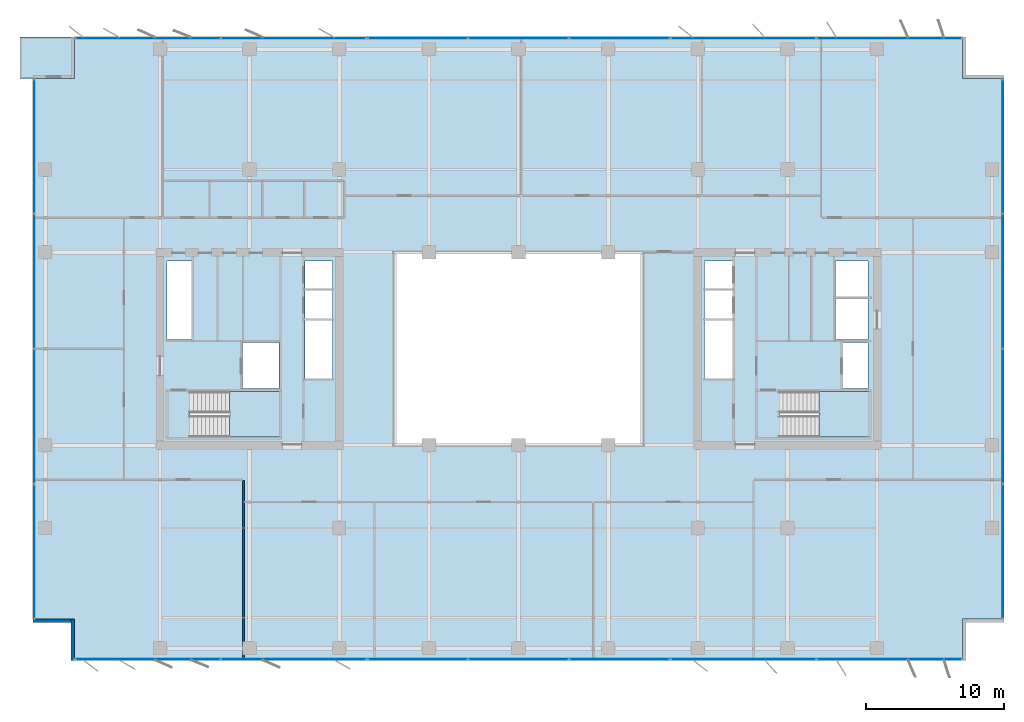
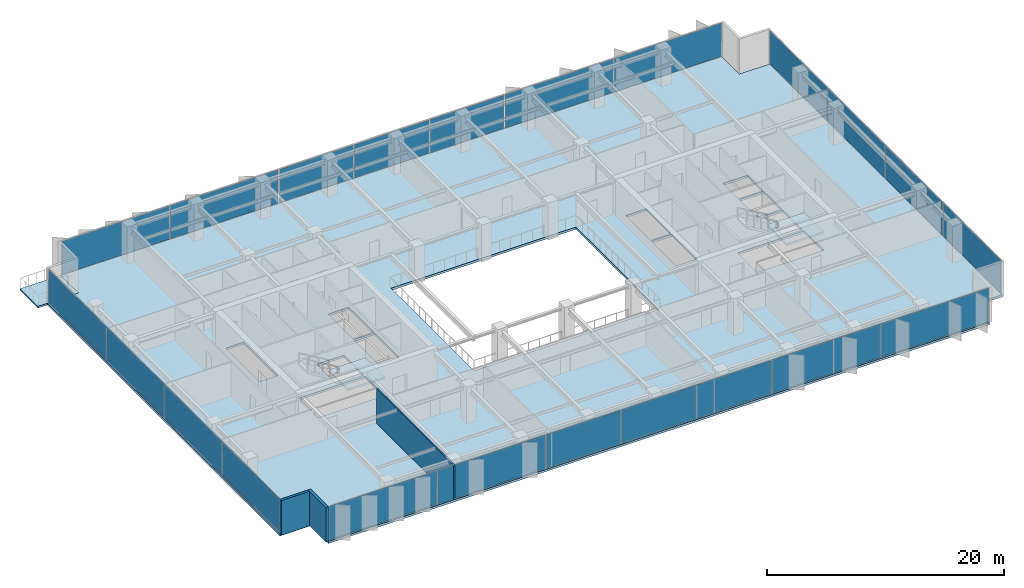
# One storey, part 14 of 22: 22 plates, 4 slabs, 3 walls, 10 elements without a shape of their own.
"""IFC4 building model written with IfcOpenShell, lengths in metres."""

import ifcopenshell
import ifcopenshell.guid

model = None  # the IFC model being written
_history = None  # IfcOwnerHistory: only IFC2X3 demands one
_inside = {}  # id of a spatial element -> (the spatial element, [elements in it])
_under = {}  # id of a project, library or spatial element -> (it, [spatial elements below it])
_declared = {}  # id of a project -> (the project, [libraries it declares])
_typed = {}  # id of a type object -> (the type object, [elements of that type])
_made_of = {}  # id of a material, layer set ... -> (it, [elements and type objects made of it])


def new_model(schema):
    """Start an empty IFC model of exactly this schema.

    Asked for "IFC4X3", IfcOpenShell would pick the latest addendum, in which some entities
    have other attributes; the version numbers below select the first issue.
    IFC2X3 requires an IfcOwnerHistory on every rooted entity: one is made here for all.
    """
    global model, _history
    if schema == "IFC4X3":
        model = ifcopenshell.file(schema_version=(4, 3, 0, 0))
    else:
        model = ifcopenshell.file(schema=schema)
    _inside.clear()
    _under.clear()
    _declared.clear()
    _typed.clear()
    _made_of.clear()
    _history = None
    if model.schema == "IFC2X3":
        org = make("IfcOrganization", Name="unknown")
        user = make(
            "IfcPersonAndOrganization",
            ThePerson=make("IfcPerson", FamilyName="unknown"),
            TheOrganization=org,
        )
        app = make(
            "IfcApplication",
            ApplicationDeveloper=org,
            Version="unknown",
            ApplicationFullName="unknown",
            ApplicationIdentifier="unknown",
        )
        _history = make(
            "IfcOwnerHistory",
            OwningUser=user,
            OwningApplication=app,
            ChangeAction="ADDED",
            CreationDate=0,
        )
    return model


def make(cls, **values):
    """One entity of the class cls with the attributes given. An attribute that is None is left unset."""
    return model.create_entity(
        cls, **{name: value for name, value in values.items() if value is not None}
    )


def rooted(cls, **values):
    """An entity with a GlobalId (a new one), such as an element, a storey or a relation."""
    return make(cls, GlobalId=ifcopenshell.guid.new(), OwnerHistory=_history, **values)


def si_unit(unit_type, name, prefix=None):
    """IfcSIUnit, for example si_unit("LENGTHUNIT", "METRE", prefix="MILLI")."""
    return make("IfcSIUnit", UnitType=unit_type, Prefix=prefix, Name=name)


def assignment(units):
    """IfcUnitAssignment: the units of a project."""
    return None if units is None else make("IfcUnitAssignment", Units=units)


def point(xyz):
    """IfcCartesianPoint."""
    return None if xyz is None else make("IfcCartesianPoint", Coordinates=xyz)


def direction(xyz):
    """IfcDirection."""
    return None if xyz is None else make("IfcDirection", DirectionRatios=xyz)


def frame(location, z_axis=None, x_axis=None):
    """IfcAxis2Placement3D, a coordinate frame: its origin and axes. An axis left out is left unset."""
    return make(
        "IfcAxis2Placement3D",
        Location=point(location),
        Axis=direction(z_axis),
        RefDirection=direction(x_axis),
    )


def frame_2d(location, x_axis=None):
    """IfcAxis2Placement2D, a coordinate frame in the plane: its origin and x axis."""
    return make(
        "IfcAxis2Placement2D", Location=point(location), RefDirection=direction(x_axis)
    )


def origin():
    """The frame at (0, 0, 0) with its axes left unset."""
    return frame((0.0, 0.0, 0.0))


def origin_2d():
    """The frame at (0, 0) in the plane with its x axis left unset."""
    return frame_2d((0.0, 0.0))


def place(relative_to, where):
    """IfcLocalPlacement: puts the frame where relative to a parent placement (None: the world)."""
    return make(
        "IfcLocalPlacement", PlacementRelTo=relative_to, RelativePlacement=where
    )


def context(
    kind, dimensions, precision=None, world=None, true_north=None, identifier=None
):
    """IfcGeometricRepresentationContext, for example the 3D "Model" context."""
    return make(
        "IfcGeometricRepresentationContext",
        ContextIdentifier=identifier,
        ContextType=kind,
        CoordinateSpaceDimension=dimensions,
        Precision=precision,
        WorldCoordinateSystem=world,
        TrueNorth=true_north,
    )


def subcontext(parent, identifier, kind, view, scale=None):
    """IfcGeometricRepresentationSubContext, for example "Body" below "Model"."""
    return make(
        "IfcGeometricRepresentationSubContext",
        ContextIdentifier=identifier,
        ContextType=kind,
        ParentContext=parent,
        TargetScale=scale,
        TargetView=view,
    )


def project(units=None, contexts=None):
    """IfcProject with its units and contexts."""
    return rooted(
        "IfcProject",
        Name="project",
        RepresentationContexts=contexts,
        UnitsInContext=assignment(units),
    )


def spatial(cls, under=None, at=None, **own):
    """A site, building, storey or space (cls), placed at a placement, below another one or the project."""
    s = rooted(cls, ObjectPlacement=at, **own)
    if under is not None:
        _under.setdefault(under.id(), (under, []))[1].append(s)
    return s


def polyline(points):
    """IfcPolyline through the points."""
    return make("IfcPolyline", Points=[point(p) for p in points])


def profile(cls, at=None, kind="AREA", **sizes):
    """A parametric profile (cls). Its sizes go by their IFC names, for example OverallWidth=200.0."""
    return make(cls, ProfileType=kind, Position=at, **sizes)


def rectangle(**sizes):
    """IfcRectangleProfileDef."""
    return profile("IfcRectangleProfileDef", **sizes)


def outline(outer, holes=None, kind="AREA"):
    """IfcArbitraryClosedProfileDef: a profile drawn as a closed curve; with holes, ...WithVoids."""
    if holes is None:
        return make("IfcArbitraryClosedProfileDef", ProfileType=kind, OuterCurve=outer)
    return make(
        "IfcArbitraryProfileDefWithVoids",
        ProfileType=kind,
        OuterCurve=outer,
        InnerCurves=holes,
    )


def extrude(swept, where, along, depth):
    """IfcExtrudedAreaSolid: the profile swept, set in the frame where, extruded along a direction by depth."""
    return make(
        "IfcExtrudedAreaSolid",
        SweptArea=swept,
        Position=where,
        ExtrudedDirection=direction(along),
        Depth=depth,
    )


def shape(context_of_items, identifier, shape_type, items):
    """IfcShapeRepresentation: the items that make up one representation, for example the "Body"."""
    return make(
        "IfcShapeRepresentation",
        ContextOfItems=context_of_items,
        RepresentationIdentifier=identifier,
        RepresentationType=shape_type,
        Items=items,
    )


def material(Name=None, Category=None):
    """IfcMaterial."""
    return make("IfcMaterial", Name=Name, Category=Category)


def layer(
    of_material, thickness, ventilated=None, Name=None, Category=None, Priority=None
):
    """IfcMaterialLayer: one layer of a wall or slab, of a material (None: an air gap)."""
    return make(
        "IfcMaterialLayer",
        Material=of_material,
        LayerThickness=thickness,
        IsVentilated=ventilated,
        Name=Name,
        Category=Category,
        Priority=Priority,
    )


def layer_set(layers, Name=None):
    """IfcMaterialLayerSet."""
    return make("IfcMaterialLayerSet", MaterialLayers=layers, LayerSetName=Name)


def made_of(thing, what):
    """Note that an element or type object is made of a material, layer set ...; save() writes the relation."""
    if what is not None:
        _made_of.setdefault(what.id(), (what, []))[1].append(thing)
    return thing


def type_object(cls, material=None, **own):
    """A type object (cls), such as IfcWallType, which elements share."""
    return made_of(rooted(cls, **own), material)


def element(
    cls,
    number,
    at=None,
    inside=None,
    cuts=None,
    type_object=None,
    material=None,
    context=None,
    identifier="Body",
    shape_type=None,
    held_by="IfcProductDefinitionShape",
    body=None,
    shapes=None,
    **own,
):
    """One element of the class cls, such as IfcWall. Its Tag is "e" and its number.

    at: its placement. inside: the storey or other place that contains it. cuts: it is an
    opening in that element (IfcRelVoidsElement). A single representation is given by context,
    identifier, shape_type and body (its items); several are given by shapes. held_by: the class
    of the entity that holds the representations. save() writes the other relations.
    """
    e = rooted(cls, Tag="e%d" % number, ObjectPlacement=at, **own)
    if body is not None:
        shapes = [shape(context, identifier, shape_type, body)]
    if shapes is not None:
        e.Representation = make(held_by, Representations=shapes)
    if inside is not None:
        _inside.setdefault(inside.id(), (inside, []))[1].append(e)
    if cuts is not None:
        rooted(
            "IfcRelVoidsElement", RelatingBuildingElement=cuts, RelatedOpeningElement=e
        )
    if type_object is not None:
        _typed.setdefault(type_object.id(), (type_object, []))[1].append(e)
    return made_of(e, material)


def aggregate(whole, parts):
    """IfcRelAggregates: a whole, such as a stair, and the parts it consists of."""
    return rooted("IfcRelAggregates", RelatingObject=whole, RelatedObjects=parts)


def save(model, path):
    """Write the relations noted so far, then the file.

    IfcRelAggregates (storeys below a building ...), IfcRelContainedInSpatialStructure (elements
    in a storey), IfcRelDefinesByType, IfcRelAssociatesMaterial and IfcRelDeclares: one each for
    every whole, place, type object, material and project.
    """
    for whole, parts in _under.values():
        aggregate(whole, parts)
    for where, things in _inside.values():
        rooted(
            "IfcRelContainedInSpatialStructure",
            RelatedElements=things,
            RelatingStructure=where,
        )
    for kind, things in _typed.values():
        rooted("IfcRelDefinesByType", RelatedObjects=things, RelatingType=kind)
    for what, things in _made_of.values():
        rooted("IfcRelAssociatesMaterial", RelatedObjects=things, RelatingMaterial=what)
    for by, libraries in _declared.values():
        rooted("IfcRelDeclares", RelatingContext=by, RelatedDefinitions=libraries)
    model.write(path)


model = new_model("IFC4")

# Units and contexts
model_context = context("Model", 3, precision=1e-05, world=origin(), true_north=direction((0.0, 1.0)))
body_context = subcontext(model_context, "Body", "Model", "MODEL_VIEW")
ifc_project = project(units=[si_unit("LENGTHUNIT", "METRE"), si_unit("AREAUNIT", "SQUARE_METRE"), si_unit("VOLUMEUNIT", "CUBIC_METRE"), si_unit("PLANEANGLEUNIT", "RADIAN"), si_unit("MASSUNIT", "GRAM", prefix="KILO")], contexts=[model_context])

# Site, building, storey
site_placement = place(None, origin())
site = spatial("IfcSite", under=ifc_project, at=site_placement, CompositionType="ELEMENT")
building_placement = place(site_placement, origin())
building = spatial("IfcBuilding", under=site, at=building_placement, Name="Putna Gate Headquarters", CompositionType="ELEMENT")
storey_placement = place(building_placement, frame((0.0, 0.0, 148.0)))
storey = spatial("IfcBuildingStorey", under=building, at=storey_placement, Name="L36", CompositionType="ELEMENT", Elevation=148.0)

# Stair, slab
ifc_material_1 = material(Name="Concrete C40/50", Category="concrete")
stair_type_1 = type_object("IfcStairType", Name="STAIR-ST1", PredefinedType="HALF_TURN_STAIR", material=ifc_material_1)
stair_1_placement = place(storey_placement, origin())
stair_1 = element("IfcStair", 1, at=stair_1_placement, inside=storey, type_object=stair_type_1, Name="L36 West Core Exit Stair ST1", PredefinedType="HALF_TURN_STAIR")
ifc_layer_1 = layer(ifc_material_1, 0.199951171875)
ifc_layer_set_1 = layer_set([ifc_layer_1], Name="Concrete C40/50")
slab_type_1 = type_object("IfcSlabType", Name="LANDING-ST1", PredefinedType="LANDING", material=ifc_layer_set_1)
slab_1_placement = place(storey_placement, frame((0.0, 0.0, 1.699951171875)))
slab_1 = element("IfcSlab", 2, at=slab_1_placement, type_object=slab_type_1, Name="ST1 landing 1", PredefinedType="LANDING", context=body_context, shape_type="SweptSolid", body=[
    extrude(outline(polyline([(18.050048828125, 19.60009765625), (21.64990234375, 19.60009765625), (21.64990234375, 22.89990234375), (18.050048828125, 22.89990234375), (18.050048828125, 19.60009765625)])), origin(), (0.0, 0.0, 1.0), 0.199951171875),
])
aggregate(stair_1, [slab_1])

stair_type_2 = type_object("IfcStairType", Name="STAIR-ST2", PredefinedType="HALF_TURN_STAIR", material=ifc_material_1)
stair_2_placement = place(storey_placement, origin())
stair_2 = element("IfcStair", 3, at=stair_2_placement, inside=storey, type_object=stair_type_2, Name="L36 East Core Exit Stair ST2", PredefinedType="HALF_TURN_STAIR")
ifc_layer_2 = layer(ifc_material_1, 0.199951171875)
ifc_layer_set_2 = layer_set([ifc_layer_2], Name="Concrete C40/50")
slab_type_2 = type_object("IfcSlabType", Name="LANDING-ST2", PredefinedType="LANDING", material=ifc_layer_set_2)
slab_2_placement = place(storey_placement, frame((0.0, 0.0, 1.699951171875)))
slab_2 = element("IfcSlab", 4, at=slab_2_placement, type_object=slab_type_2, Name="ST2 landing 1", PredefinedType="LANDING", context=body_context, shape_type="SweptSolid", body=[
    extrude(outline(polyline([(60.800048828125, 19.60009765625), (64.39990234375, 19.60009765625), (64.39990234375, 22.89990234375), (60.800048828125, 22.89990234375), (60.800048828125, 19.60009765625)])), origin(), (0.0, 0.0, 1.0), 0.199951171875),
])
aggregate(stair_2, [slab_2])

# Curtain wall, plates
ifc_material_2 = material(Name="Anodised bronze aluminium curtain wall", Category="aluminium")
ifc_layer_3 = layer(ifc_material_2, 0.159912109375)
ifc_layer_set_3 = layer_set([ifc_layer_3], Name="Anodised bronze aluminium curtain wall")
curtain_wall_type_1 = type_object("IfcCurtainWallType", Name="CW-SYS-Z3", PredefinedType="USERDEFINED", material=ifc_layer_set_3)
curtain_wall_1_placement = place(storey_placement, origin())
curtain_wall_1 = element("IfcCurtainWall", 5, at=curtain_wall_1_placement, inside=storey, type_object=curtain_wall_type_1, Name="L36 South West Curtain Wall", ObjectType="STICK CURTAIN WALL", PredefinedType="USERDEFINED")
ifc_material_3 = material(Name="Solar-control triple low-E glass", Category="glass")
ifc_layer_4 = layer(ifc_material_3, 0.028076171875)
ifc_layer_set_4 = layer_set([ifc_layer_4], Name="Solar-control triple low-E glass")
plate_type_1 = type_object("IfcPlateType", Name="PAN-CWP-3", PredefinedType="CURTAIN_PANEL", material=ifc_layer_set_4)
plate_1_placement = place(storey_placement, frame((12.1162109375, 3.47998046875, 0.06005859375), z_axis=(0.0, 0.0, 1.0), x_axis=(1.0, 0.0, 0.0)))
plate_1 = element("IfcPlate", 6, at=plate_1_placement, type_object=plate_type_1, Name="CWS-3 panel 1.1", PredefinedType="CURTAIN_PANEL", context=body_context, shape_type="SweptSolid", body=[
    extrude(rectangle(XDim=10.50244140625, YDim=0.028076171875, at=origin_2d()), origin(), (0.0, 0.0, 1.0), 3.451904296875),
])
plate_2_placement = place(storey_placement, frame((22.683837890625, 3.47998046875, 0.06005859375), z_axis=(0.0, 0.0, 1.0), x_axis=(1.0, 0.0, 0.0)))
plate_2 = element("IfcPlate", 7, at=plate_2_placement, type_object=plate_type_1, Name="CWS-3 panel 2.1", PredefinedType="CURTAIN_PANEL", context=body_context, shape_type="SweptSolid", body=[
    extrude(rectangle(XDim=10.50244140625, YDim=0.028076171875, at=origin_2d()), origin(), (0.0, 0.0, 1.0), 3.451904296875),
])
aggregate(curtain_wall_1, [plate_1, plate_2])

curtain_wall_2_placement = place(storey_placement, origin())
curtain_wall_2 = element("IfcCurtainWall", 8, at=curtain_wall_2_placement, inside=storey, type_object=curtain_wall_type_1, Name="L36 South East Curtain Wall", ObjectType="STICK CURTAIN WALL", PredefinedType="USERDEFINED")
plate_3_placement = place(storey_placement, frame((55.316162109375, 3.47998046875, 0.06005859375), z_axis=(0.0, 0.0, 1.0), x_axis=(1.0, 0.0, 0.0)))
plate_3 = element("IfcPlate", 9, at=plate_3_placement, type_object=plate_type_1, Name="CWS-3 panel 1.1", PredefinedType="CURTAIN_PANEL", context=body_context, shape_type="SweptSolid", body=[
    extrude(rectangle(XDim=10.50244140625, YDim=0.028076171875, at=origin_2d()), origin(), (0.0, 0.0, 1.0), 3.451904296875),
])
plate_4_placement = place(storey_placement, frame((65.8837890625, 3.47998046875, 0.06005859375), z_axis=(0.0, 0.0, 1.0), x_axis=(1.0, 0.0, 0.0)))
plate_4 = element("IfcPlate", 10, at=plate_4_placement, type_object=plate_type_1, Name="CWS-3 panel 2.1", PredefinedType="CURTAIN_PANEL", context=body_context, shape_type="SweptSolid", body=[
    extrude(rectangle(XDim=10.50244140625, YDim=0.028076171875, at=origin_2d()), origin(), (0.0, 0.0, 1.0), 3.451904296875),
])
aggregate(curtain_wall_2, [plate_3, plate_4])

curtain_wall_3_placement = place(storey_placement, origin())
curtain_wall_3 = element("IfcCurtainWall", 11, at=curtain_wall_3_placement, inside=storey, type_object=curtain_wall_type_1, Name="L36 North West Curtain Wall", ObjectType="STICK CURTAIN WALL", PredefinedType="USERDEFINED")
plate_5_placement = place(storey_placement, frame((12.1162109375, 48.52001953125, 0.06005859375), z_axis=(0.0, 0.0, 1.0), x_axis=(1.0, 0.0, 0.0)))
plate_5 = element("IfcPlate", 12, at=plate_5_placement, type_object=plate_type_1, Name="CWS-3 panel 1.1", PredefinedType="CURTAIN_PANEL", context=body_context, shape_type="SweptSolid", body=[
    extrude(rectangle(XDim=10.50244140625, YDim=0.028076171875, at=origin_2d()), origin(), (0.0, 0.0, 1.0), 3.451904296875),
])
plate_6_placement = place(storey_placement, frame((22.683837890625, 48.52001953125, 0.06005859375), z_axis=(0.0, 0.0, 1.0), x_axis=(1.0, 0.0, 0.0)))
plate_6 = element("IfcPlate", 13, at=plate_6_placement, type_object=plate_type_1, Name="CWS-3 panel 2.1", PredefinedType="CURTAIN_PANEL", context=body_context, shape_type="SweptSolid", body=[
    extrude(rectangle(XDim=10.50244140625, YDim=0.028076171875, at=origin_2d()), origin(), (0.0, 0.0, 1.0), 3.451904296875),
])
aggregate(curtain_wall_3, [plate_5, plate_6])

curtain_wall_4_placement = place(storey_placement, origin())
curtain_wall_4 = element("IfcCurtainWall", 14, at=curtain_wall_4_placement, inside=storey, type_object=curtain_wall_type_1, Name="L36 North East Curtain Wall", ObjectType="STICK CURTAIN WALL", PredefinedType="USERDEFINED")
plate_7_placement = place(storey_placement, frame((55.316162109375, 48.52001953125, 0.06005859375), z_axis=(0.0, 0.0, 1.0), x_axis=(1.0, 0.0, 0.0)))
plate_7 = element("IfcPlate", 15, at=plate_7_placement, type_object=plate_type_1, Name="CWS-3 panel 1.1", PredefinedType="CURTAIN_PANEL", context=body_context, shape_type="SweptSolid", body=[
    extrude(rectangle(XDim=10.50244140625, YDim=0.028076171875, at=origin_2d()), origin(), (0.0, 0.0, 1.0), 3.451904296875),
])
plate_8_placement = place(storey_placement, frame((65.8837890625, 48.52001953125, 0.06005859375), z_axis=(0.0, 0.0, 1.0), x_axis=(1.0, 0.0, 0.0)))
plate_8 = element("IfcPlate", 16, at=plate_8_placement, type_object=plate_type_1, Name="CWS-3 panel 2.1", PredefinedType="CURTAIN_PANEL", context=body_context, shape_type="SweptSolid", body=[
    extrude(rectangle(XDim=10.50244140625, YDim=0.028076171875, at=origin_2d()), origin(), (0.0, 0.0, 1.0), 3.451904296875),
])
aggregate(curtain_wall_4, [plate_7, plate_8])

curtain_wall_5_placement = place(storey_placement, origin())
curtain_wall_5 = element("IfcCurtainWall", 17, at=curtain_wall_5_placement, inside=storey, type_object=curtain_wall_type_1, Name="L36 West Curtain Wall", ObjectType="STICK CURTAIN WALL", PredefinedType="USERDEFINED")
plate_9_placement = place(storey_placement, frame((3.8798828125, 11.316162109375, 0.06005859375), z_axis=(0.0, 0.0, 1.0), x_axis=(0.0, 1.0, 0.0)))
plate_9 = element("IfcPlate", 18, at=plate_9_placement, type_object=plate_type_1, Name="CWS-3 panel 1.1", PredefinedType="CURTAIN_PANEL", context=body_context, shape_type="SweptSolid", body=[
    extrude(rectangle(XDim=9.702392578125, YDim=0.028076171875, at=origin_2d()), origin(), (0.0, 0.0, 1.0), 3.451904296875),
])
plate_10_placement = place(storey_placement, frame((3.8798828125, 21.10009765625, 0.06005859375), z_axis=(0.0, 0.0, 1.0), x_axis=(0.0, 1.0, 0.0)))
plate_10 = element("IfcPlate", 19, at=plate_10_placement, type_object=plate_type_1, Name="CWS-3 panel 2.1", PredefinedType="CURTAIN_PANEL", context=body_context, shape_type="SweptSolid", body=[
    extrude(rectangle(XDim=9.735107421875, YDim=0.028076171875, at=origin_2d()), origin(), (0.0, 0.0, 1.0), 3.451904296875),
])
plate_11_placement = place(storey_placement, frame((3.8798828125, 30.89990234375, 0.06005859375), z_axis=(0.0, 0.0, 1.0), x_axis=(0.0, 1.0, 0.0)))
plate_11 = element("IfcPlate", 20, at=plate_11_placement, type_object=plate_type_1, Name="CWS-3 panel 3.1", PredefinedType="CURTAIN_PANEL", context=body_context, shape_type="SweptSolid", body=[
    extrude(rectangle(XDim=9.735107421875, YDim=0.028076171875, at=origin_2d()), origin(), (0.0, 0.0, 1.0), 3.451904296875),
])
plate_12_placement = place(storey_placement, frame((3.8798828125, 40.683837890625, 0.06005859375), z_axis=(0.0, 0.0, 1.0), x_axis=(0.0, 1.0, 0.0)))
plate_12 = element("IfcPlate", 21, at=plate_12_placement, type_object=plate_type_1, Name="CWS-3 panel 4.1", PredefinedType="CURTAIN_PANEL", context=body_context, shape_type="SweptSolid", body=[
    extrude(rectangle(XDim=9.702392578125, YDim=0.028076171875, at=origin_2d()), origin(), (0.0, 0.0, 1.0), 3.451904296875),
])
aggregate(curtain_wall_5, [plate_9, plate_10, plate_11, plate_12])

curtain_wall_6_placement = place(storey_placement, origin())
curtain_wall_6 = element("IfcCurtainWall", 22, at=curtain_wall_6_placement, inside=storey, type_object=curtain_wall_type_1, Name="L36 East Curtain Wall", ObjectType="STICK CURTAIN WALL", PredefinedType="USERDEFINED")
plate_13_placement = place(storey_placement, frame((74.1201171875, 11.316162109375, 0.06005859375), z_axis=(0.0, 0.0, 1.0), x_axis=(0.0, 1.0, 0.0)))
plate_13 = element("IfcPlate", 23, at=plate_13_placement, type_object=plate_type_1, Name="CWS-3 panel 1.1", PredefinedType="CURTAIN_PANEL", context=body_context, shape_type="SweptSolid", body=[
    extrude(rectangle(XDim=9.702392578125, YDim=0.028076171875, at=origin_2d()), origin(), (0.0, 0.0, 1.0), 3.451904296875),
])
plate_14_placement = place(storey_placement, frame((74.1201171875, 21.10009765625, 0.06005859375), z_axis=(0.0, 0.0, 1.0), x_axis=(0.0, 1.0, 0.0)))
plate_14 = element("IfcPlate", 24, at=plate_14_placement, type_object=plate_type_1, Name="CWS-3 panel 2.1", PredefinedType="CURTAIN_PANEL", context=body_context, shape_type="SweptSolid", body=[
    extrude(rectangle(XDim=9.735107421875, YDim=0.028076171875, at=origin_2d()), origin(), (0.0, 0.0, 1.0), 3.451904296875),
])
plate_15_placement = place(storey_placement, frame((74.1201171875, 30.89990234375, 0.06005859375), z_axis=(0.0, 0.0, 1.0), x_axis=(0.0, 1.0, 0.0)))
plate_15 = element("IfcPlate", 25, at=plate_15_placement, type_object=plate_type_1, Name="CWS-3 panel 3.1", PredefinedType="CURTAIN_PANEL", context=body_context, shape_type="SweptSolid", body=[
    extrude(rectangle(XDim=9.735107421875, YDim=0.028076171875, at=origin_2d()), origin(), (0.0, 0.0, 1.0), 3.451904296875),
])
plate_16_placement = place(storey_placement, frame((74.1201171875, 40.683837890625, 0.06005859375), z_axis=(0.0, 0.0, 1.0), x_axis=(0.0, 1.0, 0.0)))
plate_16 = element("IfcPlate", 26, at=plate_16_placement, type_object=plate_type_1, Name="CWS-3 panel 4.1", PredefinedType="CURTAIN_PANEL", context=body_context, shape_type="SweptSolid", body=[
    extrude(rectangle(XDim=9.702392578125, YDim=0.028076171875, at=origin_2d()), origin(), (0.0, 0.0, 1.0), 3.451904296875),
])
aggregate(curtain_wall_6, [plate_13, plate_14, plate_15, plate_16])

ifc_layer_5 = layer(ifc_material_2, 0.179931640625)
ifc_layer_set_5 = layer_set([ifc_layer_5], Name="Anodised bronze aluminium curtain wall")
curtain_wall_type_2 = type_object("IfcCurtainWallType", Name="CW-SYS-ATR", PredefinedType="USERDEFINED", material=ifc_layer_set_5)
curtain_wall_7_placement = place(storey_placement, origin())
curtain_wall_7 = element("IfcCurtainWall", 27, at=curtain_wall_7_placement, inside=storey, type_object=curtain_wall_type_2, Name="L36 South Atrium Clear Glazing", ObjectType="ATRIUM GLAZING", PredefinedType="USERDEFINED")
ifc_material_4 = material(Name="Clear low-iron triple glazing", Category="glass")
ifc_layer_6 = layer(ifc_material_4, 0.0400390625)
ifc_layer_set_6 = layer_set([ifc_layer_6], Name="Clear low-iron triple glazing")
plate_type_2 = type_object("IfcPlateType", Name="PAN-CWP-AT", PredefinedType="CURTAIN_PANEL", material=ifc_layer_set_6)
plate_17_placement = place(storey_placement, frame((31.68408203125, 3.47998046875, 0.06982421875), z_axis=(0.0, 0.0, 1.0), x_axis=(1.0, 0.0, 0.0)))
plate_17 = element("IfcPlate", 28, at=plate_17_placement, type_object=plate_type_2, Name="CWS-AT panel 1.1", PredefinedType="CURTAIN_PANEL", context=body_context, shape_type="SweptSolid", body=[
    extrude(rectangle(XDim=7.228271484375, YDim=0.0400390625, at=origin_2d()), origin(), (0.0, 0.0, 1.0), 3.431884765625),
])
plate_18_placement = place(storey_placement, frame((39.0, 3.47998046875, 0.06982421875), z_axis=(0.0, 0.0, 1.0), x_axis=(1.0, 0.0, 0.0)))
plate_18 = element("IfcPlate", 29, at=plate_18_placement, type_object=plate_type_2, Name="CWS-AT panel 2.1", PredefinedType="CURTAIN_PANEL", context=body_context, shape_type="SweptSolid", body=[
    extrude(rectangle(XDim=7.263427734375, YDim=0.0400390625, at=origin_2d()), origin(), (0.0, 0.0, 1.0), 3.431884765625),
])
plate_19_placement = place(storey_placement, frame((46.31591796875, 3.47998046875, 0.06982421875), z_axis=(0.0, 0.0, 1.0), x_axis=(1.0, 0.0, 0.0)))
plate_19 = element("IfcPlate", 30, at=plate_19_placement, type_object=plate_type_2, Name="CWS-AT panel 3.1", PredefinedType="CURTAIN_PANEL", context=body_context, shape_type="SweptSolid", body=[
    extrude(rectangle(XDim=7.228271484375, YDim=0.0400390625, at=origin_2d()), origin(), (0.0, 0.0, 1.0), 3.431884765625),
])
aggregate(curtain_wall_7, [plate_17, plate_18, plate_19])

curtain_wall_8_placement = place(storey_placement, origin())
curtain_wall_8 = element("IfcCurtainWall", 31, at=curtain_wall_8_placement, inside=storey, type_object=curtain_wall_type_2, Name="L36 North Atrium Clear Glazing", ObjectType="ATRIUM GLAZING", PredefinedType="USERDEFINED")
plate_20_placement = place(storey_placement, frame((31.68408203125, 48.52001953125, 0.06982421875), z_axis=(0.0, 0.0, 1.0), x_axis=(1.0, 0.0, 0.0)))
plate_20 = element("IfcPlate", 32, at=plate_20_placement, type_object=plate_type_2, Name="CWS-AT panel 1.1", PredefinedType="CURTAIN_PANEL", context=body_context, shape_type="SweptSolid", body=[
    extrude(rectangle(XDim=7.228271484375, YDim=0.0400390625, at=origin_2d()), origin(), (0.0, 0.0, 1.0), 3.431884765625),
])
plate_21_placement = place(storey_placement, frame((39.0, 48.52001953125, 0.06982421875), z_axis=(0.0, 0.0, 1.0), x_axis=(1.0, 0.0, 0.0)))
plate_21 = element("IfcPlate", 33, at=plate_21_placement, type_object=plate_type_2, Name="CWS-AT panel 2.1", PredefinedType="CURTAIN_PANEL", context=body_context, shape_type="SweptSolid", body=[
    extrude(rectangle(XDim=7.263427734375, YDim=0.0400390625, at=origin_2d()), origin(), (0.0, 0.0, 1.0), 3.431884765625),
])
plate_22_placement = place(storey_placement, frame((46.31591796875, 48.52001953125, 0.06982421875), z_axis=(0.0, 0.0, 1.0), x_axis=(1.0, 0.0, 0.0)))
plate_22 = element("IfcPlate", 34, at=plate_22_placement, type_object=plate_type_2, Name="CWS-AT panel 3.1", PredefinedType="CURTAIN_PANEL", context=body_context, shape_type="SweptSolid", body=[
    extrude(rectangle(XDim=7.228271484375, YDim=0.0400390625, at=origin_2d()), origin(), (0.0, 0.0, 1.0), 3.431884765625),
])
aggregate(curtain_wall_8, [plate_20, plate_21, plate_22])

# Slabs
ifc_layer_7 = layer(ifc_material_1, 0.179931640625)
ifc_layer_set_7 = layer_set([ifc_layer_7], Name="Concrete C40/50")
slab_type_3 = type_object("IfcSlabType", Name="SLAB-TERRACE-180", PredefinedType="FLOOR", material=ifc_layer_set_7)
slab_3_placement = place(storey_placement, frame((0.0, 0.0, -0.179931640625)))
element("IfcSlab", 35, at=slab_3_placement, inside=storey, type_object=slab_type_3, Name="L36 Spiral Sky-Garden Terrace Slab (NW)", PredefinedType="FLOOR", context=body_context, shape_type="SweptSolid", body=[
    extrude(outline(polyline([(2.85009765625, 45.592041015625), (6.80810546875, 45.592041015625), (6.80810546875, 48.60009765625), (2.85009765625, 48.60009765625), (2.85009765625, 45.592041015625)])), origin(), (0.0, 0.0, 1.0), 0.179931640625),
])
ifc_layer_8 = layer(ifc_material_1, 0.22802734375)
ifc_layer_set_8 = layer_set([ifc_layer_8], Name="Concrete C40/50")
slab_type_4 = type_object("IfcSlabType", Name="SLAB-Z3-228", PredefinedType="FLOOR", material=ifc_layer_set_8)
slab_4_placement = place(storey_placement, frame((0.0, 0.0, -0.22802734375)))
element("IfcSlab", 36, at=slab_4_placement, inside=storey, type_object=slab_type_4, Name="L36 Composite Floor Slab", PredefinedType="FLOOR", context=body_context, shape_type="SweptSolid", body=[
    extrude(outline(polyline([(6.800048828125, 3.39990234375), (71.199951171875, 3.39990234375), (71.199951171875, 6.39990234375), (74.199951171875, 6.39990234375), (74.199951171875, 45.60009765625), (71.199951171875, 45.60009765625), (71.199951171875, 48.60009765625), (6.800048828125, 48.60009765625), (6.800048828125, 45.60009765625), (3.800048828125, 45.60009765625), (3.800048828125, 6.39990234375), (6.800048828125, 6.39990234375), (6.800048828125, 3.39990234375)]), holes=[polyline([(15.1650390625, 19.60009765625), (21.64990234375, 19.60009765625), (21.64990234375, 22.89990234375), (15.1650390625, 22.89990234375), (15.1650390625, 19.60009765625)]), polyline([(57.9150390625, 19.60009765625), (64.39990234375, 19.60009765625), (64.39990234375, 22.89990234375), (57.9150390625, 22.89990234375), (57.9150390625, 19.60009765625)]), polyline([(13.52001953125, 26.659912109375), (15.280029296875, 26.659912109375), (15.280029296875, 32.35009765625), (13.52001953125, 32.35009765625), (13.52001953125, 26.659912109375)]), polyline([(61.969970703125, 29.780029296875), (64.35009765625, 29.780029296875), (64.35009765625, 32.35009765625), (61.969970703125, 32.35009765625), (61.969970703125, 29.780029296875)]), polyline([(18.97998046875, 23.1201171875), (21.6201171875, 23.1201171875), (21.6201171875, 26.4599609375), (18.97998046875, 26.4599609375), (18.97998046875, 23.1201171875)]), polyline([(62.52001953125, 23.1201171875), (64.35009765625, 23.1201171875), (64.35009765625, 26.4599609375), (62.52001953125, 26.4599609375), (62.52001953125, 23.1201171875)]), polyline([(61.969970703125, 26.659912109375), (64.35009765625, 26.659912109375), (64.35009765625, 29.6201171875), (61.969970703125, 29.6201171875), (61.969970703125, 26.659912109375)]), polyline([(23.5, 23.860107421875), (25.5, 23.860107421875), (25.5, 28.0400390625), (23.5, 28.0400390625), (23.5, 23.860107421875)]), polyline([(52.47998046875, 23.860107421875), (54.5, 23.860107421875), (54.5, 28.0400390625), (52.47998046875, 28.0400390625), (52.47998046875, 23.860107421875)]), polyline([(23.5, 28.199951171875), (25.5, 28.199951171875), (25.5, 32.35009765625), (23.5, 32.35009765625), (23.5, 28.199951171875)]), polyline([(52.47998046875, 28.199951171875), (54.5, 28.199951171875), (54.5, 32.35009765625), (52.47998046875, 32.35009765625), (52.47998046875, 28.199951171875)]), polyline([(30.0, 19.0), (48.0, 19.0), (48.0, 33.0), (30.0, 33.0), (30.0, 19.0)])]), origin(), (0.0, 0.0, 1.0), 0.22802734375),
])

# Walls
ifc_material_5 = material(Name="Precast concrete C40/50", Category="concrete")
ifc_layer_9 = layer(ifc_material_5, 0.239990234375)
ifc_layer_set_9 = layer_set([ifc_layer_9], Name="Precast concrete C40/50")
wall_type_1 = type_object("IfcWallType", Name="WALL-EXT-TERR-240", PredefinedType="STANDARD", material=ifc_layer_set_9)
for number, where, z_axis, x_axis, name in (
    (37, (6.679931640625, 3.39990234375, 0.0), (0.0, 0.0, 1.0), (0.0, 1.0, 0.0), "L36 Corner Notch Return Wall SW-V"),
    (38, (6.800048828125, 6.280029296875, 0.0), (0.0, 0.0, 1.0), (-1.0, 0.0, 0.0), "L36 Corner Notch Return Wall SW-H"),
):
    element("IfcWall", number, at=place(storey_placement, frame(where, z_axis=z_axis, x_axis=x_axis)), inside=storey, type_object=wall_type_1, Name=name, PredefinedType="STANDARD", context=body_context, shape_type="SweptSolid", body=[
        extrude(rectangle(XDim=3.0, YDim=0.239990234375, at=frame_2d((1.5, 0.0))), origin(), (0.0, 0.0, 1.0), 3.572021484375),
    ])
ifc_material_6 = material(Name="Acoustic gypsum board on metal stud")
ifc_layer_10 = layer(ifc_material_6, 0.1201171875)
ifc_layer_set_10 = layer_set([ifc_layer_10], Name="Acoustic gypsum board on metal stud")
wall_type_2 = type_object("IfcWallType", Name="WALL-PART-120", PredefinedType="PARTITIONING", material=ifc_layer_set_10)
wall_placement = place(storey_placement, frame((19.0595703125, 3.419921875, 0.0), z_axis=(0.0, 0.0, 1.0), x_axis=(0.0, 1.0, 0.0)))
element("IfcWall", 39, at=wall_placement, inside=storey, type_object=wall_type_2, Name="L36 Interior Wall PART-L36-SB-DIV-01", PredefinedType="PARTITIONING", context=body_context, shape_type="SweptSolid", body=[
    extrude(rectangle(XDim=13.02001953125, YDim=0.1201171875, at=frame_2d((6.510009765625, 0.0))), origin(), (0.0, 0.0, 1.0), 3.572021484375),
])

save(model, "model.ifc")
